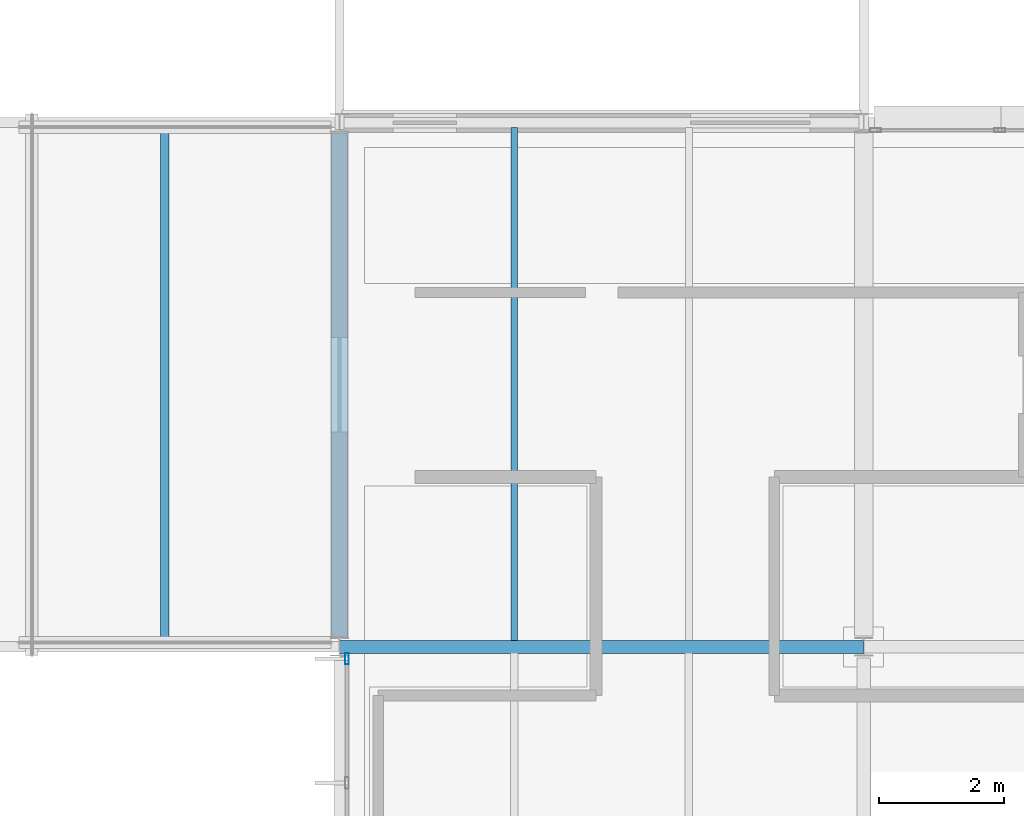
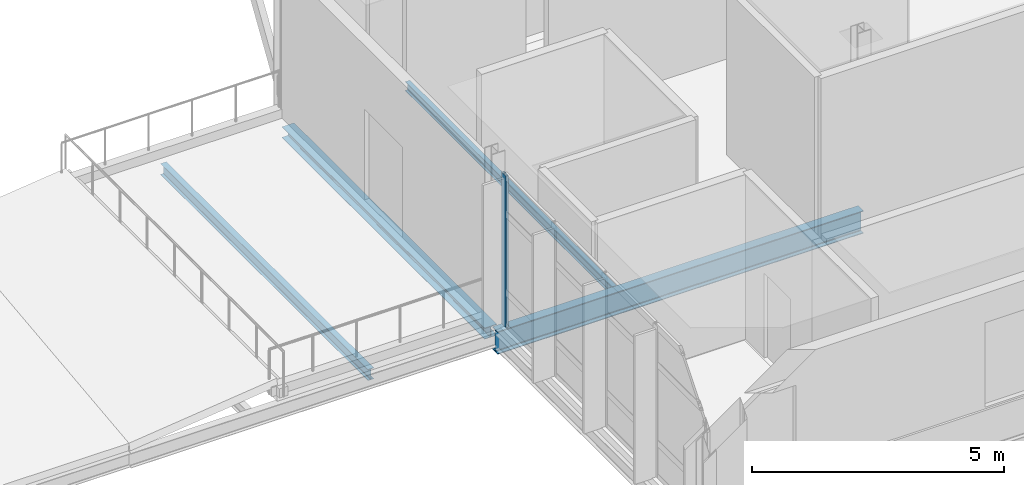
# One storey, part 11 of 35: 4 beams, 1 member, 1 element without a shape of its own.
"""IFC4 building model written with IfcOpenShell, lengths in metres."""

from ifc_helpers import new_model, si_unit, direction, frame, origin, origin_2d, place, context, subcontext, project, spatial, hollow_rectangle, i_section, extrude, material, material_profile, profile_set, type_object, element, aggregate, save


model = new_model("IFC4")

# Units and contexts
model_context = context("Model", 3, precision=1e-05, world=origin(), true_north=direction((0.0, 1.0)))
body_context = subcontext(model_context, "Body", "Model", "MODEL_VIEW")
ifc_project = project(units=[si_unit("LENGTHUNIT", "METRE"), si_unit("AREAUNIT", "SQUARE_METRE"), si_unit("VOLUMEUNIT", "CUBIC_METRE"), si_unit("PLANEANGLEUNIT", "RADIAN"), si_unit("MASSUNIT", "GRAM", prefix="KILO")], contexts=[model_context])

# Site, building, storey
site_placement = place(None, origin())
site = spatial("IfcSite", under=ifc_project, at=site_placement, CompositionType="ELEMENT")
building_placement = place(site_placement, origin())
building = spatial("IfcBuilding", under=site, at=building_placement, Name="Mersafa Astral City Hall", CompositionType="ELEMENT")
storey_placement = place(building_placement, frame((0.0, 0.0, 30.14990234375)))
storey = spatial("IfcBuildingStorey", under=building, at=storey_placement, Name="L07", CompositionType="ELEMENT", Elevation=30.14990234375)

# Curtain wall, member
ifc_material_1 = material(Name="Anodised bronze aluminium framing", Category="aluminium")
curtain_wall_type = type_object("IfcCurtainWallType", Name="ENV-CW-5", PredefinedType="USERDEFINED", material=ifc_material_1)
curtain_wall_placement = place(storey_placement, origin())
curtain_wall = element("IfcCurtainWall", 1, at=curtain_wall_placement, inside=storey, type_object=curtain_wall_type, Name="L07 Unitised solar curtain wall 274", ObjectType="UNITISED CURTAIN WALL", PredefinedType="USERDEFINED")
ifc_material_profile_1 = material_profile(ifc_material_1, hollow_rectangle(XDim=0.06005859375, YDim=0.179931640625, WallThickness=0.00390625, at=origin_2d()), Name="RHS 60x180x4")
ifc_profile_set_1 = profile_set([ifc_material_profile_1], Name="Anodised bronze aluminium framing")
member_type = type_object("IfcMemberType", Name="ENV-CW-MUL-1", PredefinedType="MULLION", material=ifc_profile_set_1)
member_placement = place(storey_placement, frame((109.320068359375, 117.407958984375, -0.001953125), z_axis=(0.0, 0.0, 1.0), x_axis=(1.0, 0.0, 0.0)))
member = element("IfcMember", 2, at=member_placement, type_object=member_type, Name="CW-5 mullion 1", PredefinedType="MULLION", context=body_context, shape_type="SweptSolid", body=[
    extrude(hollow_rectangle(XDim=0.06005859375, YDim=0.179931640625, WallThickness=0.00390625, at=origin_2d()), origin(), (0.0, 0.0, 1.0), 3.678955078125),
])
aggregate(curtain_wall, [member])

# Beams
ifc_material_2 = material(Name="Steel S355", Category="steel")
ifc_material_profile_2 = material_profile(ifc_material_2, i_section(OverallWidth=0.2099609375, OverallDepth=0.550048828125, WebThickness=0.010986328125, FlangeThickness=0.01708984375, FilletRadius=0.02392578125, at=origin_2d()), Name="IPE 550")
ifc_profile_set_2 = profile_set([ifc_material_profile_2], Name="Steel S355")
beam_type_1 = type_object("IfcBeamType", Name="STR-BM-IPE550", PredefinedType="BEAM", material=ifc_profile_set_2)
beam_1_placement = place(storey_placement, frame((109.202880859375, 117.60009765625, -0.449951171875), z_axis=(1.0, 0.0, 0.0), x_axis=(0.0, 1.0, 0.0)))
element("IfcBeam", 3, at=beam_1_placement, inside=storey, type_object=beam_type_1, Name="L07 Primary girder X 13-14", PredefinedType="BEAM", context=body_context, shape_type="SweptSolid", body=[
    extrude(i_section(OverallWidth=0.2099609375, OverallDepth=0.550048828125, WebThickness=0.010986328125, FlangeThickness=0.01708984375, FilletRadius=0.02392578125, at=origin_2d()), origin(), (0.0, 0.0, 1.0), 8.39404296875),
])
ifc_material_profile_3 = material_profile(ifc_material_2, i_section(OverallWidth=0.110107421875, OverallDepth=0.219970703125, WebThickness=0.005859375, FlangeThickness=0.00927734375, FilletRadius=0.011962890625, at=origin_2d()), Name="IPE 220")
ifc_profile_set_3 = profile_set([ifc_material_profile_3], Name="Steel S355")
beam_type_2 = type_object("IfcBeamType", Name="STR-BM-JOIST-IPE220", PredefinedType="JOIST", material=ifc_profile_set_3)
beam_2_placement = place(storey_placement, frame((112.0, 117.699951171875, -0.284912109375), z_axis=(0.0, 1.0, 0.0), x_axis=(-1.0, 0.0, 0.0)))
element("IfcBeam", 4, at=beam_2_placement, inside=storey, type_object=beam_type_2, Name="L07 Composite secondary floor joist 890", PredefinedType="JOIST", context=body_context, shape_type="SweptSolid", body=[
    extrude(i_section(OverallWidth=0.110107421875, OverallDepth=0.219970703125, WebThickness=0.005859375, FlangeThickness=0.00927734375, FilletRadius=0.011962890625, at=origin_2d()), origin(), (0.0, 0.0, 1.0), 8.219970703125),
])
ifc_material_profile_4 = material_profile(ifc_material_2, i_section(OverallWidth=0.135009765625, OverallDepth=0.27001953125, WebThickness=0.006591796875, FlangeThickness=0.01025390625, FilletRadius=0.014892578125, at=origin_2d()), Name="IPE 270")
ifc_profile_set_4 = profile_set([ifc_material_profile_4], Name="Steel S355")
beam_type_3 = type_object("IfcBeamType", Name="STR-BM-JOIST-IPE270", PredefinedType="JOIST", material=ifc_profile_set_4)
beam_3_placement = place(storey_placement, frame((106.39990234375, 117.679931640625, -0.3349609375), z_axis=(0.0, 1.0, 0.0), x_axis=(-1.0, 0.0, 0.0)))
element("IfcBeam", 5, at=beam_3_placement, inside=storey, type_object=beam_type_3, Name="L07 Flat roof secondary joist 10", PredefinedType="JOIST", context=body_context, shape_type="SweptSolid", body=[
    extrude(i_section(OverallWidth=0.135009765625, OverallDepth=0.27001953125, WebThickness=0.006591796875, FlangeThickness=0.01025390625, FilletRadius=0.014892578125, at=origin_2d()), origin(), (0.0, 0.0, 1.0), 8.2451171875),
])
ifc_material_profile_5 = material_profile(ifc_material_2, i_section(OverallWidth=0.280029296875, OverallDepth=0.27001953125, WebThickness=0.008056640625, FlangeThickness=0.012939453125, FilletRadius=0.02392578125, at=origin_2d()), Name="HEA 280")
ifc_profile_set_5 = profile_set([ifc_material_profile_5], Name="Steel S355")
beam_type_4 = type_object("IfcBeamType", Name="STR-BM-SPANDREL-HEA280", PredefinedType="SPANDREL", material=ifc_profile_set_5)
beam_4_placement = place(storey_placement, frame((109.199951171875, 117.764892578125, -0.3349609375), z_axis=(0.0, 1.0, 0.0), x_axis=(-1.0, 0.0, 0.0)))
element("IfcBeam", 6, at=beam_4_placement, inside=storey, type_object=beam_type_4, Name="L07 Primary girder Y 13-14", PredefinedType="SPANDREL", context=body_context, shape_type="SweptSolid", body=[
    extrude(i_section(OverallWidth=0.280029296875, OverallDepth=0.27001953125, WebThickness=0.008056640625, FlangeThickness=0.012939453125, FilletRadius=0.02392578125, at=origin_2d()), origin(), (0.0, 0.0, 1.0), 8.06005859375),
])

save(model, "model.ifc")
